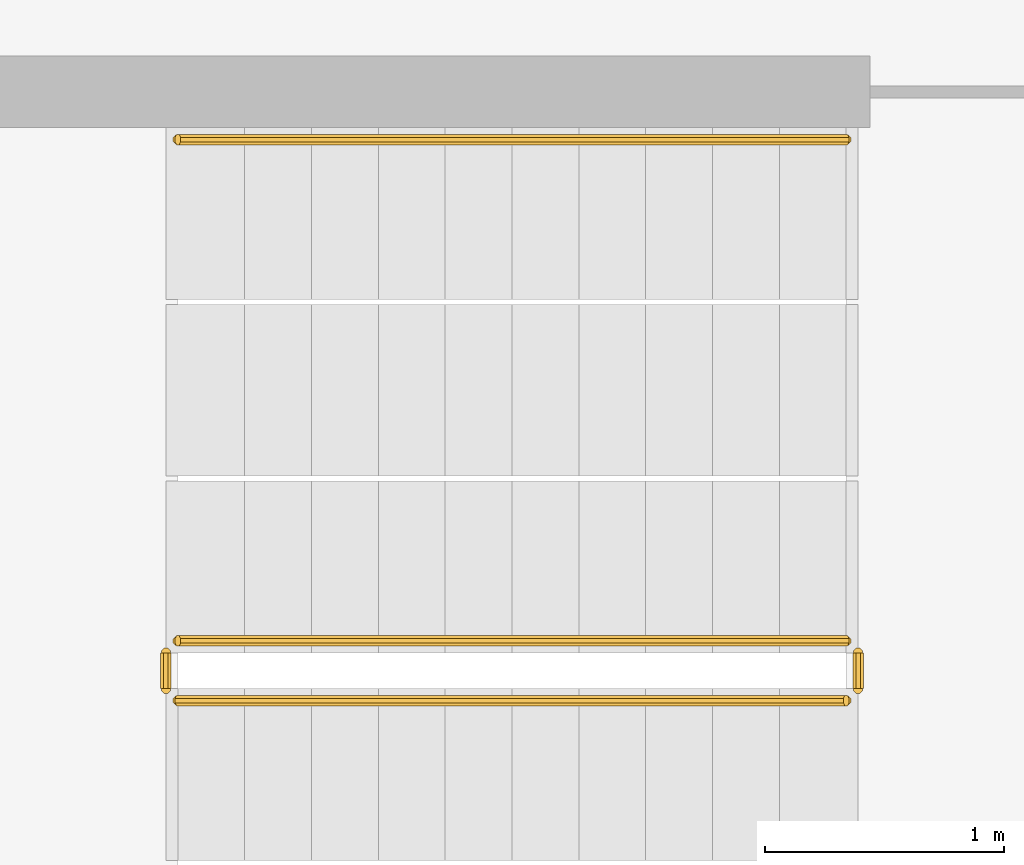
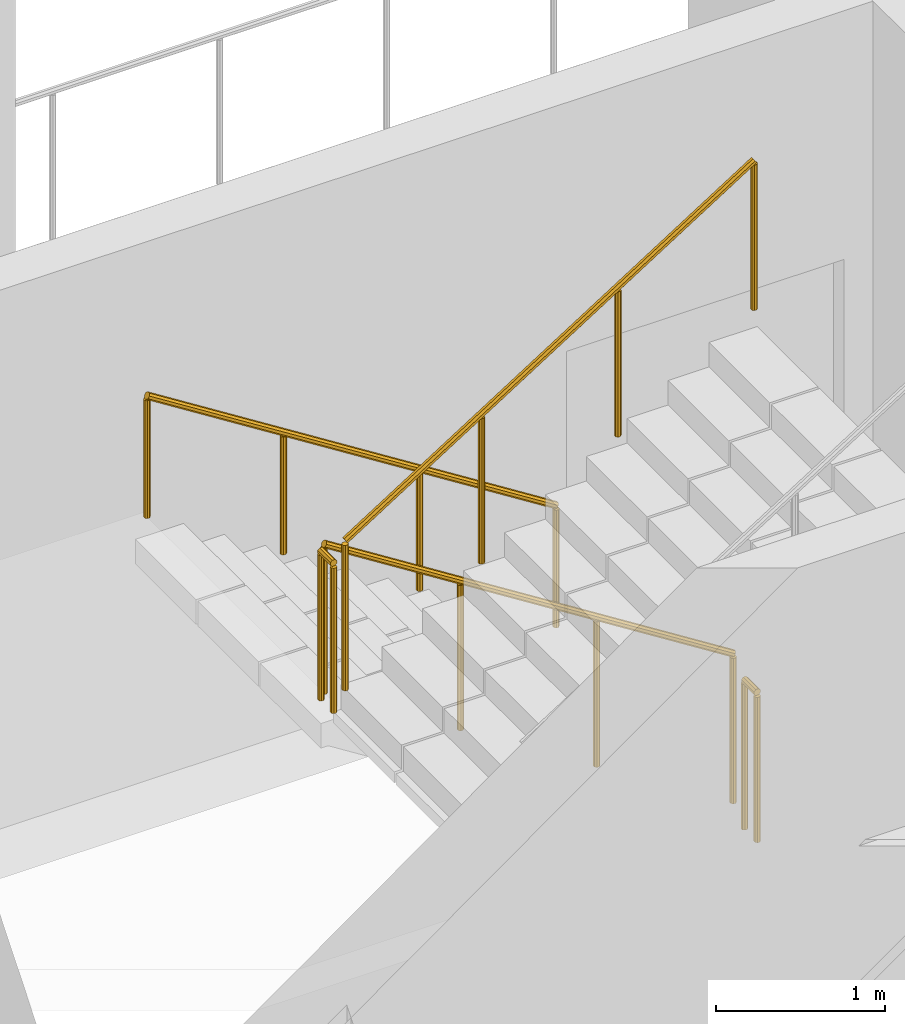
# One storey, part 20 of 27: 5 railings.
"""IFC4 building model written with IfcOpenShell, lengths in metres."""

from ifc_helpers import new_model, si_unit, direction, frame, origin, place, context, subcontext, project, spatial, polyline, outline, extrude, material, type_object, element, save


model = new_model("IFC4")

# Units and contexts
model_context = context("Model", 3, precision=1e-05, world=origin(), true_north=direction((0.0, 1.0)))
body_context = subcontext(model_context, "Body", "Model", "MODEL_VIEW")
ifc_project = project(units=[si_unit("LENGTHUNIT", "METRE"), si_unit("AREAUNIT", "SQUARE_METRE"), si_unit("VOLUMEUNIT", "CUBIC_METRE"), si_unit("PLANEANGLEUNIT", "RADIAN"), si_unit("MASSUNIT", "GRAM", prefix="KILO")], contexts=[model_context])

# Site, building, storey
site_placement = place(None, origin())
site = spatial("IfcSite", under=ifc_project, at=site_placement, CompositionType="ELEMENT")
building_placement = place(site_placement, origin())
building = spatial("IfcBuilding", under=site, at=building_placement, Name="Cormorant Relay Tower", CompositionType="ELEMENT")
storey_placement = place(building_placement, frame((0.0, 0.0, 201.300048828125)))
storey = spatial("IfcBuildingStorey", under=building, at=storey_placement, Name="L43", CompositionType="ELEMENT", Elevation=201.300048828125)

# Railings
ifc_material_1 = material(Name="Steel ASTM A572 Grade 50 (Fy 345 MPa)", Category="steel")
railing_type_1 = type_object("IfcRailingType", Name="Stair guard 1100", PredefinedType="GUARDRAIL", material=ifc_material_1)
railing_1_placement = place(storey_placement, frame((1.60009765625, -18.27490234375, 0.17724609375)))
element("IfcRailing", 1, at=railing_1_placement, inside=storey, type_object=railing_type_1, Name="L43 RK1 stair guard 1", PredefinedType="GUARDRAIL", context=body_context, shape_type="SweptSolid", body=[
    extrude(outline(polyline([(0.022216796875, 0.00927734375), (0.00927734375, 0.022216796875), (-0.00927734375, 0.022216796875), (-0.022216796875, 0.00927734375), (-0.022216796875, -0.00927734375), (-0.00927734375, -0.022216796875), (0.00927734375, -0.022216796875), (0.022216796875, -0.00927734375), (0.022216796875, 0.00927734375)])), frame((0.0, 0.0, 1.076171875), z_axis=(-0.844908973607, 0.0, 0.534910110503), x_axis=(0.0, -1.0, 0.0)), (0.0, 0.0, 1.0), 3.31396484375),
    extrude(outline(polyline([(0.019287109375, 0.008056640625), (0.008056640625, 0.019287109375), (-0.008056640625, 0.019287109375), (-0.019287109375, 0.008056640625), (-0.019287109375, -0.008056640625), (-0.008056640625, -0.019287109375), (0.008056640625, -0.019287109375), (0.019287109375, -0.008056640625), (0.019287109375, 0.008056640625)])), origin(), (0.0, 0.0, 1.0), 1.052001953125),
    extrude(outline(polyline([(0.019287109375, 0.008056640625), (0.008056640625, 0.019287109375), (-0.008056640625, 0.019287109375), (-0.019287109375, 0.008056640625), (-0.019287109375, -0.008056640625), (-0.008056640625, -0.019287109375), (0.008056640625, -0.019287109375), (0.019287109375, -0.008056640625), (0.019287109375, 0.008056640625)])), frame((-0.933349609375, 0.0, 0.5908203125)), (0.0, 0.0, 1.0), 1.052001953125),
    extrude(outline(polyline([(0.019287109375, 0.008056640625), (0.008056640625, 0.019287109375), (-0.008056640625, 0.019287109375), (-0.019287109375, 0.008056640625), (-0.019287109375, -0.008056640625), (-0.008056640625, -0.019287109375), (0.008056640625, -0.019287109375), (0.019287109375, -0.008056640625), (0.019287109375, 0.008056640625)])), frame((-1.86669921875, 0.0, 1.181884765625)), (0.0, 0.0, 1.0), 1.052001953125),
    extrude(outline(polyline([(0.019287109375, 0.008056640625), (0.008056640625, 0.019287109375), (-0.008056640625, 0.019287109375), (-0.019287109375, 0.008056640625), (-0.019287109375, -0.008056640625), (-0.008056640625, -0.019287109375), (0.008056640625, -0.019287109375), (0.019287109375, -0.008056640625), (0.019287109375, 0.008056640625)])), frame((-2.800048828125, 0.0, 1.772705078125)), (0.0, 0.0, 1.0), 1.052001953125),
])
railing_2_placement = place(storey_placement, frame((-1.25, -18.324951171875, 1.949951171875)))
element("IfcRailing", 2, at=railing_2_placement, inside=storey, type_object=railing_type_1, Name="L43 RK1 stair guard 2", PredefinedType="GUARDRAIL", context=body_context, shape_type="SweptSolid", body=[
    extrude(outline(polyline([(0.022216796875, 0.00927734375), (0.00927734375, 0.022216796875), (-0.00927734375, 0.022216796875), (-0.022216796875, 0.00927734375), (-0.022216796875, -0.00927734375), (-0.00927734375, -0.022216796875), (0.00927734375, -0.022216796875), (0.022216796875, -0.00927734375), (0.022216796875, 0.00927734375)])), frame((0.0, 0.0, 1.076171875), z_axis=(0.0, -1.0, 0.0), x_axis=(1.0, 0.0, 0.0)), (0.0, 0.0, 1.0), 0.150146484375),
    extrude(outline(polyline([(0.019287109375, 0.008056640625), (0.008056640625, 0.019287109375), (-0.008056640625, 0.019287109375), (-0.019287109375, 0.008056640625), (-0.019287109375, -0.008056640625), (-0.008056640625, -0.019287109375), (0.008056640625, -0.019287109375), (0.019287109375, -0.008056640625), (0.019287109375, 0.008056640625)])), origin(), (0.0, 0.0, 1.0), 1.052001953125),
    extrude(outline(polyline([(0.019287109375, 0.008056640625), (0.008056640625, 0.019287109375), (-0.008056640625, 0.019287109375), (-0.019287109375, 0.008056640625), (-0.019287109375, -0.008056640625), (-0.008056640625, -0.019287109375), (0.008056640625, -0.019287109375), (0.019287109375, -0.008056640625), (0.019287109375, 0.008056640625)])), frame((0.0, -0.150146484375, 0.0)), (0.0, 0.0, 1.0), 1.052001953125),
])
railing_3_placement = place(storey_placement, frame((-1.199951171875, -18.52490234375, 2.127197265625)))
element("IfcRailing", 3, at=railing_3_placement, inside=storey, type_object=railing_type_1, Name="L43 RK1 stair guard 3", PredefinedType="GUARDRAIL", context=body_context, shape_type="SweptSolid", body=[
    extrude(outline(polyline([(0.022216796875, 0.00927734375), (0.00927734375, 0.022216796875), (-0.00927734375, 0.022216796875), (-0.022216796875, 0.00927734375), (-0.022216796875, -0.00927734375), (-0.00927734375, -0.022216796875), (0.00927734375, -0.022216796875), (0.022216796875, -0.00927734375), (0.022216796875, 0.00927734375)])), frame((0.0, 0.0, 1.076171875), z_axis=(0.844908973607, 0.0, 0.534910110503), x_axis=(0.0, 1.0, 0.0)), (0.0, 0.0, 1.0), 3.31396484375),
    extrude(outline(polyline([(0.019287109375, 0.008056640625), (0.008056640625, 0.019287109375), (-0.008056640625, 0.019287109375), (-0.019287109375, 0.008056640625), (-0.019287109375, -0.008056640625), (-0.008056640625, -0.019287109375), (0.008056640625, -0.019287109375), (0.019287109375, -0.008056640625), (0.019287109375, 0.008056640625)])), origin(), (0.0, 0.0, 1.0), 1.052001953125),
    extrude(outline(polyline([(0.019287109375, 0.008056640625), (0.008056640625, 0.019287109375), (-0.008056640625, 0.019287109375), (-0.019287109375, 0.008056640625), (-0.019287109375, -0.008056640625), (-0.008056640625, -0.019287109375), (0.008056640625, -0.019287109375), (0.019287109375, -0.008056640625), (0.019287109375, 0.008056640625)])), frame((0.933349609375, 0.0, 0.5908203125)), (0.0, 0.0, 1.0), 1.052001953125),
    extrude(outline(polyline([(0.019287109375, 0.008056640625), (0.008056640625, 0.019287109375), (-0.008056640625, 0.019287109375), (-0.019287109375, 0.008056640625), (-0.019287109375, -0.008056640625), (-0.008056640625, -0.019287109375), (0.008056640625, -0.019287109375), (0.019287109375, -0.008056640625), (0.019287109375, 0.008056640625)])), frame((1.86669921875, 0.0, 1.181884765625)), (0.0, 0.0, 1.0), 1.052001953125),
    extrude(outline(polyline([(0.019287109375, 0.008056640625), (0.008056640625, 0.019287109375), (-0.008056640625, 0.019287109375), (-0.019287109375, 0.008056640625), (-0.019287109375, -0.008056640625), (-0.008056640625, -0.019287109375), (0.008056640625, -0.019287109375), (0.019287109375, -0.008056640625), (0.019287109375, 0.008056640625)])), frame((2.800048828125, 0.0, 1.772705078125)), (0.0, 0.0, 1.0), 1.052001953125),
])
railing_4_placement = place(storey_placement, frame((1.64990234375, -18.324951171875, 0.0)))
element("IfcRailing", 4, at=railing_4_placement, inside=storey, type_object=railing_type_1, Name="L43 RK1 stair guard 4", PredefinedType="GUARDRAIL", context=body_context, shape_type="SweptSolid", body=[
    extrude(outline(polyline([(0.022216796875, 0.00927734375), (0.00927734375, 0.022216796875), (-0.00927734375, 0.022216796875), (-0.022216796875, 0.00927734375), (-0.022216796875, -0.00927734375), (-0.00927734375, -0.022216796875), (0.00927734375, -0.022216796875), (0.022216796875, -0.00927734375), (0.022216796875, 0.00927734375)])), frame((0.0, 0.0, 1.076171875), z_axis=(0.0, -1.0, 0.0), x_axis=(1.0, 0.0, 0.0)), (0.0, 0.0, 1.0), 0.150146484375),
    extrude(outline(polyline([(0.019287109375, 0.008056640625), (0.008056640625, 0.019287109375), (-0.008056640625, 0.019287109375), (-0.019287109375, 0.008056640625), (-0.019287109375, -0.008056640625), (-0.008056640625, -0.019287109375), (0.008056640625, -0.019287109375), (0.019287109375, -0.008056640625), (0.019287109375, 0.008056640625)])), origin(), (0.0, 0.0, 1.0), 1.052001953125),
    extrude(outline(polyline([(0.019287109375, 0.008056640625), (0.008056640625, 0.019287109375), (-0.008056640625, 0.019287109375), (-0.019287109375, 0.008056640625), (-0.019287109375, -0.008056640625), (-0.008056640625, -0.019287109375), (0.008056640625, -0.019287109375), (0.019287109375, -0.008056640625), (0.019287109375, 0.008056640625)])), frame((0.0, -0.150146484375, 0.0)), (0.0, 0.0, 1.0), 1.052001953125),
])
ifc_material_2 = material(Name="Steel ASTM A572 Grade 50 (Fy 345 MPa)", Category="steel")
railing_type_2 = type_object("IfcRailingType", Name="Stair handrail 900", PredefinedType="HANDRAIL", material=ifc_material_2)
railing_5_placement = place(storey_placement, frame((1.60009765625, -16.175048828125, 0.17724609375)))
element("IfcRailing", 5, at=railing_5_placement, inside=storey, type_object=railing_type_2, Name="L43 RK1 stair handrail 1", PredefinedType="HANDRAIL", context=body_context, shape_type="SweptSolid", body=[
    extrude(outline(polyline([(0.022216796875, 0.00927734375), (0.00927734375, 0.022216796875), (-0.00927734375, 0.022216796875), (-0.022216796875, 0.00927734375), (-0.022216796875, -0.00927734375), (-0.00927734375, -0.022216796875), (0.00927734375, -0.022216796875), (0.022216796875, -0.00927734375), (0.022216796875, 0.00927734375)])), frame((0.0, 0.0, 0.8759765625), z_axis=(-0.844908973607, 0.0, 0.534910110503), x_axis=(0.0, -1.0, 0.0)), (0.0, 0.0, 1.0), 3.31396484375),
    extrude(outline(polyline([(0.019287109375, 0.008056640625), (0.008056640625, 0.019287109375), (-0.008056640625, 0.019287109375), (-0.019287109375, 0.008056640625), (-0.019287109375, -0.008056640625), (-0.008056640625, -0.019287109375), (0.008056640625, -0.019287109375), (0.019287109375, -0.008056640625), (0.019287109375, 0.008056640625)])), origin(), (0.0, 0.0, 1.0), 0.851806640625),
    extrude(outline(polyline([(0.019287109375, 0.008056640625), (0.008056640625, 0.019287109375), (-0.008056640625, 0.019287109375), (-0.019287109375, 0.008056640625), (-0.019287109375, -0.008056640625), (-0.008056640625, -0.019287109375), (0.008056640625, -0.019287109375), (0.019287109375, -0.008056640625), (0.019287109375, 0.008056640625)])), frame((-0.933349609375, 0.0, 0.5908203125)), (0.0, 0.0, 1.0), 0.851806640625),
    extrude(outline(polyline([(0.019287109375, 0.008056640625), (0.008056640625, 0.019287109375), (-0.008056640625, 0.019287109375), (-0.019287109375, 0.008056640625), (-0.019287109375, -0.008056640625), (-0.008056640625, -0.019287109375), (0.008056640625, -0.019287109375), (0.019287109375, -0.008056640625), (0.019287109375, 0.008056640625)])), frame((-1.86669921875, 0.0, 1.181884765625)), (0.0, 0.0, 1.0), 0.851806640625),
    extrude(outline(polyline([(0.019287109375, 0.008056640625), (0.008056640625, 0.019287109375), (-0.008056640625, 0.019287109375), (-0.019287109375, 0.008056640625), (-0.019287109375, -0.008056640625), (-0.008056640625, -0.019287109375), (0.008056640625, -0.019287109375), (0.019287109375, -0.008056640625), (0.019287109375, 0.008056640625)])), frame((-2.800048828125, 0.0, 1.772705078125)), (0.0, 0.0, 1.0), 0.851806640625),
])

save(model, "model.ifc")
